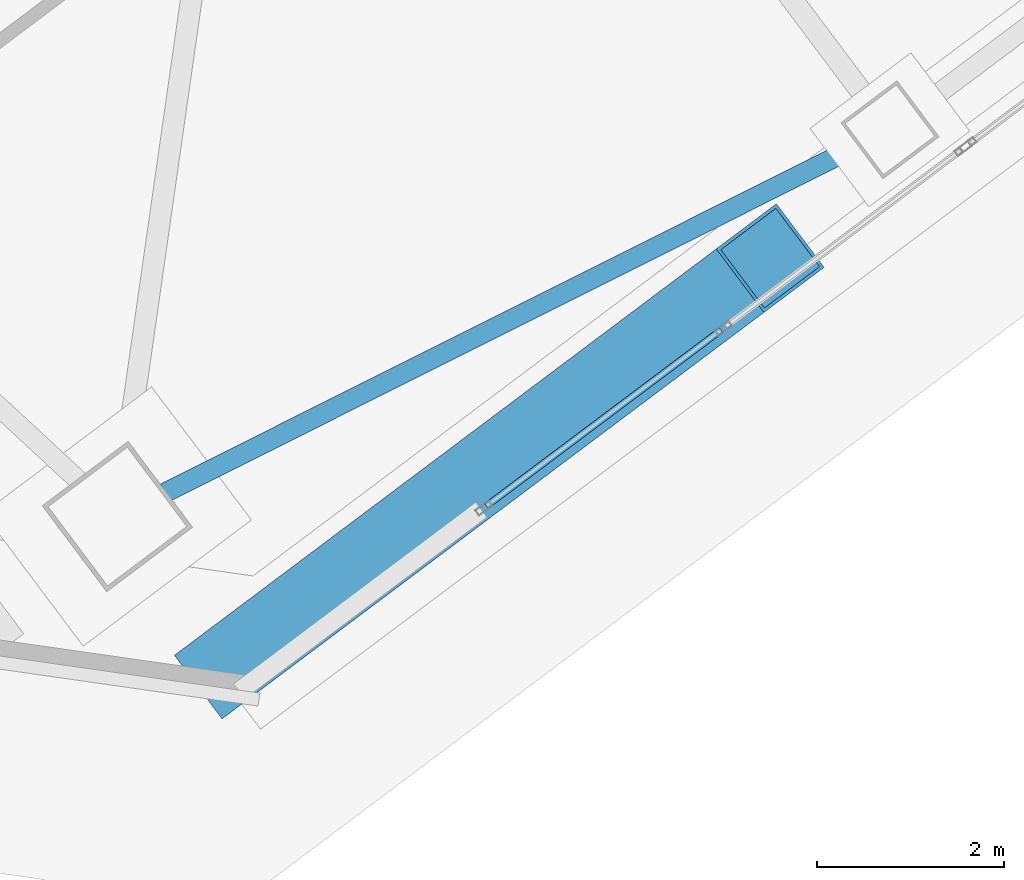
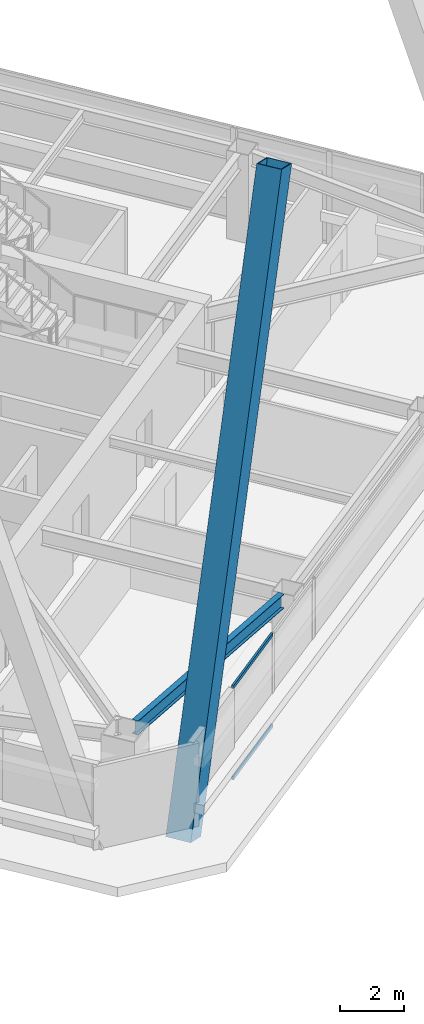
# One storey, part 30 of 65: 3 members, 1 beam, 1 element without a shape of its own.
"""IFC4 building model written with IfcOpenShell, lengths in metres."""

from ifc_helpers import new_model, si_unit, direction, frame, origin, origin_2d, place, context, subcontext, project, spatial, hollow_rectangle, i_section, extrude, material, material_profile, profile_set, type_object, element, aggregate, save


model = new_model("IFC4")

# Units and contexts
model_context = context("Model", 3, precision=1e-05, world=origin(), true_north=direction((0.0, 1.0)))
body_context = subcontext(model_context, "Body", "Model", "MODEL_VIEW")
ifc_project = project(units=[si_unit("LENGTHUNIT", "METRE"), si_unit("AREAUNIT", "SQUARE_METRE"), si_unit("VOLUMEUNIT", "CUBIC_METRE"), si_unit("PLANEANGLEUNIT", "RADIAN"), si_unit("MASSUNIT", "GRAM", prefix="KILO")], contexts=[model_context])

# Site, building, storey
site_placement = place(None, origin())
site = spatial("IfcSite", under=ifc_project, at=site_placement, CompositionType="ELEMENT")
building_placement = place(site_placement, origin())
building = spatial("IfcBuilding", under=site, at=building_placement, Name="Tashvorn Skyway Center", CompositionType="ELEMENT")
storey_placement = place(building_placement, frame((0.0, 0.0, 157.0)))
storey = spatial("IfcBuildingStorey", under=building, at=storey_placement, Name="L42", CompositionType="ELEMENT", Elevation=157.0)

# Beam
ifc_material_1 = material(Name="Steel ASTM A992 Grade 50", Category="steel")
ifc_material_profile_1 = material_profile(ifc_material_1, i_section(OverallWidth=0.2109375, OverallDepth=0.5390625, WebThickness=0.01171875, FlangeThickness=0.018798828125, at=origin_2d()), Name="W21X73")
ifc_profile_set_1 = profile_set([ifc_material_profile_1], Name="Steel ASTM A992 Grade 50")
beam_type = type_object("IfcBeamType", Name="BM-SPANDREL-W21X73", PredefinedType="SPANDREL", material=ifc_profile_set_1)
beam_placement = place(storey_placement, frame((111.609619140625, 11.955078125, 3.1005859375), z_axis=(0.894209637559, 0.447648438059, 0.0), x_axis=(-0.447648438059, 0.894209637559, 0.0)))
element("IfcBeam", 1, at=beam_placement, inside=storey, type_object=beam_type, Name="Tower 2 L42 Spandrel Beam 01", PredefinedType="SPANDREL", context=body_context, shape_type="SweptSolid", body=[
    extrude(i_section(OverallWidth=0.2109375, OverallDepth=0.5390625, WebThickness=0.01171875, FlangeThickness=0.018798828125, at=origin_2d()), origin(), (0.0, 0.0, 1.0), 8.308349609375),
])

# Curtain wall, members
ifc_material_2 = material(Name="Thermally broken bronze-anodized aluminium 6063-T6", Category="aluminium")
curtain_wall_type = type_object("IfcCurtainWallType", Name="CW-CW-Z4", PredefinedType="NOTDEFINED", material=ifc_material_2)
curtain_wall_placement = place(storey_placement, origin())
curtain_wall = element("IfcCurtainWall", 2, at=curtain_wall_placement, inside=storey, type_object=curtain_wall_type, Name="Tower 2 L42 South Unitised Curtain Wall Glazing Group 3", PredefinedType="NOTDEFINED")
ifc_material_profile_2 = material_profile(ifc_material_2, hollow_rectangle(XDim=0.070068359375, YDim=0.1298828125, WallThickness=0.00390625, at=origin_2d()), Name="ALU-TRAN-70x130")
ifc_profile_set_2 = profile_set([ifc_material_profile_2], Name="Thermally broken bronze-anodized aluminium 6063-T6")
member_type_1 = type_object("IfcMemberType", Name="CWT-CW-Z4", PredefinedType="USERDEFINED", material=ifc_profile_set_2)
member_1_placement = place(storey_placement, frame((117.56005859375, 13.695068359375, 0.034912109375), z_axis=(-0.799990655127, -0.600012459628, 0.0), x_axis=(0.600012459628, -0.799990655127, 0.0)))
member_1 = element("IfcMember", 3, at=member_1_placement, type_object=member_type_1, Name="CW-Z4 transom 2.1", ObjectType="TRANSOM", PredefinedType="USERDEFINED", context=body_context, shape_type="SweptSolid", body=[
    extrude(hollow_rectangle(XDim=0.070068359375, YDim=0.1298828125, WallThickness=0.00390625, at=origin_2d()), origin(), (0.0, 0.0, 1.0), 3.135009765625),
])
member_2_placement = place(storey_placement, frame((117.56005859375, 13.695068359375, 3.514892578125), z_axis=(-0.799990655127, -0.600012459628, 0.0), x_axis=(0.600012459628, -0.799990655127, 0.0)))
member_2 = element("IfcMember", 4, at=member_2_placement, type_object=member_type_1, Name="CW-Z4 transom 2.2", ObjectType="TRANSOM", PredefinedType="USERDEFINED", context=body_context, shape_type="SweptSolid", body=[
    extrude(hollow_rectangle(XDim=0.070068359375, YDim=0.1298828125, WallThickness=0.00390625, at=origin_2d()), origin(), (0.0, 0.0, 1.0), 3.135009765625),
])
aggregate(curtain_wall, [member_1, member_2])

# Member
ifc_material_3 = material(Name="Steel ASTM A572 Grade 50", Category="steel")
ifc_material_profile_3 = material_profile(ifc_material_3, hollow_rectangle(XDim=0.85009765625, YDim=0.85009765625, WallThickness=0.034912109375, at=origin_2d()), Name="BOX850x850x35")
ifc_profile_set_3 = profile_set([ifc_material_profile_3], Name="Steel ASTM A572 Grade 50")
member_type_2 = type_object("IfcMemberType", Name="MEM-MB-850", PredefinedType="BRACE", material=ifc_profile_set_3)
member_3_placement = place(storey_placement, frame((112.2880859375, 10.115966796875, -0.199951171875), z_axis=(0.260506738507, 0.195391019815, 0.945493833173), x_axis=(-0.600021551797, 0.799983835699, 0.0)))
element("IfcMember", 5, at=member_3_placement, inside=storey, type_object=member_type_2, Name="Tower 2 Zone 4 S Chevron Mega-Brace L1", PredefinedType="BRACE", context=body_context, shape_type="SweptSolid", body=[
    extrude(hollow_rectangle(XDim=0.85009765625, YDim=0.85009765625, WallThickness=0.034912109375, at=origin_2d()), origin(), (0.0, 0.0, 1.0), 22.263427734375),
])

save(model, "model.ifc")
